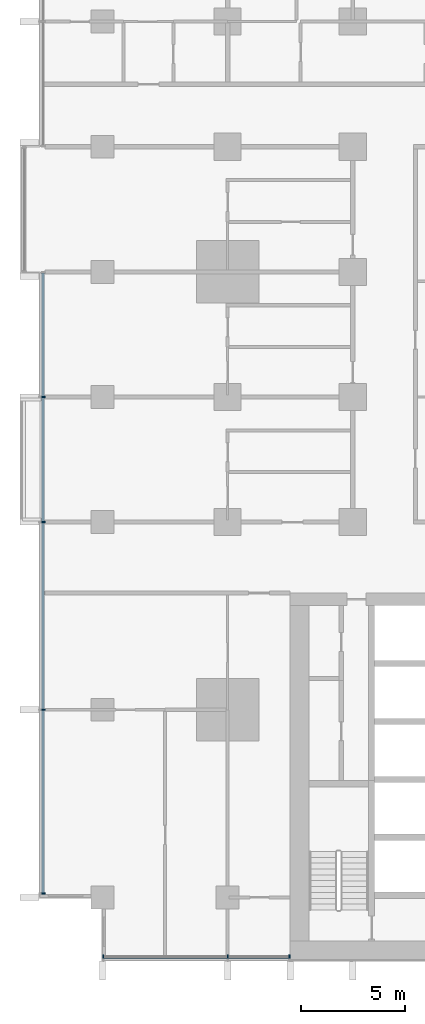
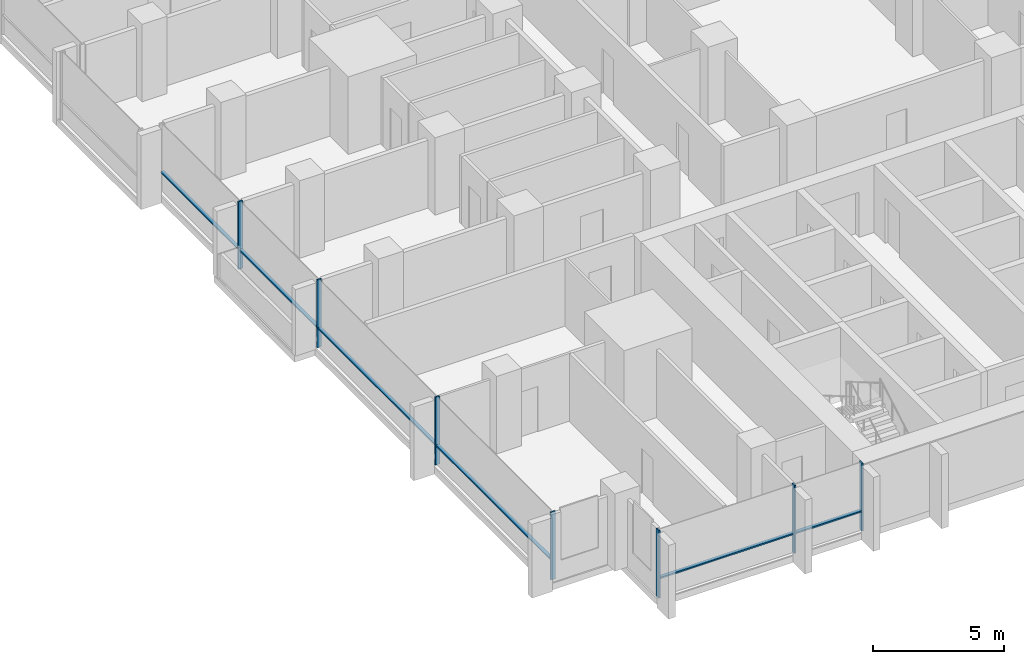
# One storey, part 2 of 18: 13 members, 2 elements without a shape of their own.
"""IFC4 building model written with IfcOpenShell, lengths in metres."""

from ifc_helpers import new_model, si_unit, direction, frame, origin, origin_2d, place, context, subcontext, project, spatial, rectangle, extrude, material, material_profile, profile_set, type_object, element, aggregate, save


model = new_model("IFC4")

# Units and contexts
model_context = context("Model", 3, precision=1e-05, world=origin(), true_north=direction((0.0, 1.0)))
body_context = subcontext(model_context, "Body", "Model", "MODEL_VIEW")
ifc_project = project(units=[si_unit("LENGTHUNIT", "METRE"), si_unit("AREAUNIT", "SQUARE_METRE"), si_unit("VOLUMEUNIT", "CUBIC_METRE"), si_unit("PLANEANGLEUNIT", "RADIAN"), si_unit("MASSUNIT", "GRAM", prefix="KILO")], contexts=[model_context])

# Site, building, storey
site_placement = place(None, origin())
site = spatial("IfcSite", under=ifc_project, at=site_placement, CompositionType="ELEMENT")
building_placement = place(site_placement, origin())
building = spatial("IfcBuilding", under=site, at=building_placement, Name="Finial Court Residences", CompositionType="ELEMENT")
storey_placement = place(building_placement, frame((0.0, 0.0, 72.10009765625)))
storey = spatial("IfcBuildingStorey", under=building, at=storey_placement, Name="L17", CompositionType="ELEMENT", Elevation=72.10009765625)

# Curtain wall, members
ifc_material = material(Name="Bronze anodised aluminium", Category="aluminium")
curtain_wall_type = type_object("IfcCurtainWallType", Name="Unitised curtain wall, lower and middle zones", PredefinedType="NOTDEFINED", material=ifc_material)
curtain_wall_1_placement = place(storey_placement, origin())
curtain_wall_1 = element("IfcCurtainWall", 1, at=curtain_wall_1_placement, inside=storey, type_object=curtain_wall_type, Name="E-L17-CW-S7", PredefinedType="NOTDEFINED")
ifc_material_profile_1 = material_profile(ifc_material, rectangle(XDim=0.199951171875, YDim=0.06494140625, at=origin_2d()), Name="CW1 mullion 65 x 200")
ifc_profile_set_1 = profile_set([ifc_material_profile_1], Name="Bronze anodised aluminium")
member_type_1 = type_object("IfcMemberType", Name="CW1 mullion 65 x 200", PredefinedType="MULLION", material=ifc_profile_set_1)
member_1_placement = place(storey_placement, frame((-22.467529296875, -25.35009765625, 0.0), z_axis=(0.0, 0.0, 1.0), x_axis=(0.0, 1.0, 0.0)))
member_1 = element("IfcMember", 2, at=member_1_placement, type_object=member_type_1, Name="CW1 mullion 1", PredefinedType="MULLION", context=body_context, shape_type="SweptSolid", body=[
    extrude(rectangle(XDim=0.199951171875, YDim=0.06494140625, at=origin_2d()), origin(), (0.0, 0.0, 1.0), 3.14990234375),
])
member_2_placement = place(storey_placement, frame((-16.5, -25.35009765625, 0.0), z_axis=(0.0, 0.0, 1.0), x_axis=(0.0, 1.0, 0.0)))
member_2 = element("IfcMember", 3, at=member_2_placement, type_object=member_type_1, Name="CW1 mullion 2", PredefinedType="MULLION", context=body_context, shape_type="SweptSolid", body=[
    extrude(rectangle(XDim=0.199951171875, YDim=0.06494140625, at=origin_2d()), origin(), (0.0, 0.0, 1.0), 3.14990234375),
])
member_3_placement = place(storey_placement, frame((-13.532470703125, -25.35009765625, 0.0), z_axis=(0.0, 0.0, 1.0), x_axis=(0.0, 1.0, 0.0)))
member_3 = element("IfcMember", 4, at=member_3_placement, type_object=member_type_1, Name="CW1 mullion 3", PredefinedType="MULLION", context=body_context, shape_type="SweptSolid", body=[
    extrude(rectangle(XDim=0.199951171875, YDim=0.06494140625, at=origin_2d()), origin(), (0.0, 0.0, 1.0), 3.14990234375),
])

curtain_wall_2_placement = place(storey_placement, origin())
curtain_wall_2 = element("IfcCurtainWall", 5, at=curtain_wall_2_placement, inside=storey, type_object=curtain_wall_type, Name="E-L17-CW-W9", PredefinedType="NOTDEFINED")
member_4_placement = place(storey_placement, frame((-25.35009765625, -22.3173828125, 0.0), z_axis=(0.0, 0.0, 1.0), x_axis=(-1.0, 0.0, 0.0)))
member_4 = element("IfcMember", 6, at=member_4_placement, type_object=member_type_1, Name="CW1 mullion 1", PredefinedType="MULLION", context=body_context, shape_type="SweptSolid", body=[
    extrude(rectangle(XDim=0.199951171875, YDim=0.06494140625, at=origin_2d()), origin(), (0.0, 0.0, 1.0), 3.14990234375),
])
member_5_placement = place(storey_placement, frame((-25.35009765625, -13.5, 0.0), z_axis=(0.0, 0.0, 1.0), x_axis=(-1.0, 0.0, 0.0)))
member_5 = element("IfcMember", 7, at=member_5_placement, type_object=member_type_1, Name="CW1 mullion 2", PredefinedType="MULLION", context=body_context, shape_type="SweptSolid", body=[
    extrude(rectangle(XDim=0.199951171875, YDim=0.06494140625, at=origin_2d()), origin(), (0.0, 0.0, 1.0), 3.14990234375),
])
member_6_placement = place(storey_placement, frame((-25.35009765625, -4.5, 0.0), z_axis=(0.0, 0.0, 1.0), x_axis=(-1.0, 0.0, 0.0)))
member_6 = element("IfcMember", 8, at=member_6_placement, type_object=member_type_1, Name="CW1 mullion 3", PredefinedType="MULLION", context=body_context, shape_type="SweptSolid", body=[
    extrude(rectangle(XDim=0.199951171875, YDim=0.06494140625, at=origin_2d()), origin(), (0.0, 0.0, 1.0), 3.14990234375),
])
member_7_placement = place(storey_placement, frame((-25.35009765625, 1.5, 0.0), z_axis=(0.0, 0.0, 1.0), x_axis=(-1.0, 0.0, 0.0)))
member_7 = element("IfcMember", 9, at=member_7_placement, type_object=member_type_1, Name="CW1 mullion 4", PredefinedType="MULLION", context=body_context, shape_type="SweptSolid", body=[
    extrude(rectangle(XDim=0.199951171875, YDim=0.06494140625, at=origin_2d()), origin(), (0.0, 0.0, 1.0), 3.14990234375),
])

# Member
ifc_material_profile_2 = material_profile(ifc_material, rectangle(XDim=0.14990234375, YDim=0.06494140625, at=origin_2d()), Name="CW1 transom 65 x 150")
ifc_profile_set_2 = profile_set([ifc_material_profile_2], Name="Bronze anodised aluminium")
member_type_2 = type_object("IfcMemberType", Name="CW1 transom 65 x 150", PredefinedType="USERDEFINED", material=ifc_profile_set_2)
member_8_placement = place(storey_placement, frame((-22.43505859375, -25.35009765625, 0.89990234375), z_axis=(1.0, 0.0, 0.0), x_axis=(0.0, 1.0, 0.0)))
member_8 = element("IfcMember", 10, at=member_8_placement, type_object=member_type_2, Name="CW1 transom 1.1", ObjectType="TRANSOM", PredefinedType="USERDEFINED", context=body_context, shape_type="SweptSolid", body=[
    extrude(rectangle(XDim=0.14990234375, YDim=0.06494140625, at=origin_2d()), origin(), (0.0, 0.0, 1.0), 5.902587890625),
])

member_9_placement = place(storey_placement, frame((-16.467529296875, -25.35009765625, 0.89990234375), z_axis=(1.0, 0.0, 0.0), x_axis=(0.0, 1.0, 0.0)))
member_9 = element("IfcMember", 11, at=member_9_placement, type_object=member_type_2, Name="CW1 transom 2.1", ObjectType="TRANSOM", PredefinedType="USERDEFINED", context=body_context, shape_type="SweptSolid", body=[
    extrude(rectangle(XDim=0.14990234375, YDim=0.06494140625, at=origin_2d()), origin(), (0.0, 0.0, 1.0), 2.902587890625),
])

aggregate(curtain_wall_1, [member_1, member_2, member_3, member_8, member_9])

member_10_placement = place(storey_placement, frame((-25.35009765625, -22.284912109375, 0.89990234375), z_axis=(0.0, 1.0, 0.0), x_axis=(-1.0, 0.0, 0.0)))
member_10 = element("IfcMember", 12, at=member_10_placement, type_object=member_type_2, Name="CW1 transom 1.1", ObjectType="TRANSOM", PredefinedType="USERDEFINED", context=body_context, shape_type="SweptSolid", body=[
    extrude(rectangle(XDim=0.14990234375, YDim=0.06494140625, at=origin_2d()), origin(), (0.0, 0.0, 1.0), 8.75244140625),
])

member_11_placement = place(storey_placement, frame((-25.35009765625, -13.467529296875, 0.89990234375), z_axis=(0.0, 1.0, 0.0), x_axis=(-1.0, 0.0, 0.0)))
member_11 = element("IfcMember", 13, at=member_11_placement, type_object=member_type_2, Name="CW1 transom 2.1", ObjectType="TRANSOM", PredefinedType="USERDEFINED", context=body_context, shape_type="SweptSolid", body=[
    extrude(rectangle(XDim=0.14990234375, YDim=0.06494140625, at=origin_2d()), origin(), (0.0, 0.0, 1.0), 8.93505859375),
])

member_12_placement = place(storey_placement, frame((-25.35009765625, -4.467529296875, 0.89990234375), z_axis=(0.0, 1.0, 0.0), x_axis=(-1.0, 0.0, 0.0)))
member_12 = element("IfcMember", 14, at=member_12_placement, type_object=member_type_2, Name="CW1 transom 3.1", ObjectType="TRANSOM", PredefinedType="USERDEFINED", context=body_context, shape_type="SweptSolid", body=[
    extrude(rectangle(XDim=0.14990234375, YDim=0.06494140625, at=origin_2d()), origin(), (0.0, 0.0, 1.0), 5.93505859375),
])

member_13_placement = place(storey_placement, frame((-25.35009765625, 1.532470703125, 0.89990234375), z_axis=(0.0, 1.0, 0.0), x_axis=(-1.0, 0.0, 0.0)))
member_13 = element("IfcMember", 15, at=member_13_placement, type_object=member_type_2, Name="CW1 transom 4.1", ObjectType="TRANSOM", PredefinedType="USERDEFINED", context=body_context, shape_type="SweptSolid", body=[
    extrude(rectangle(XDim=0.14990234375, YDim=0.06494140625, at=origin_2d()), origin(), (0.0, 0.0, 1.0), 5.902587890625),
])

aggregate(curtain_wall_2, [member_4, member_5, member_6, member_7, member_10, member_11, member_12, member_13])

save(model, "model.ifc")
